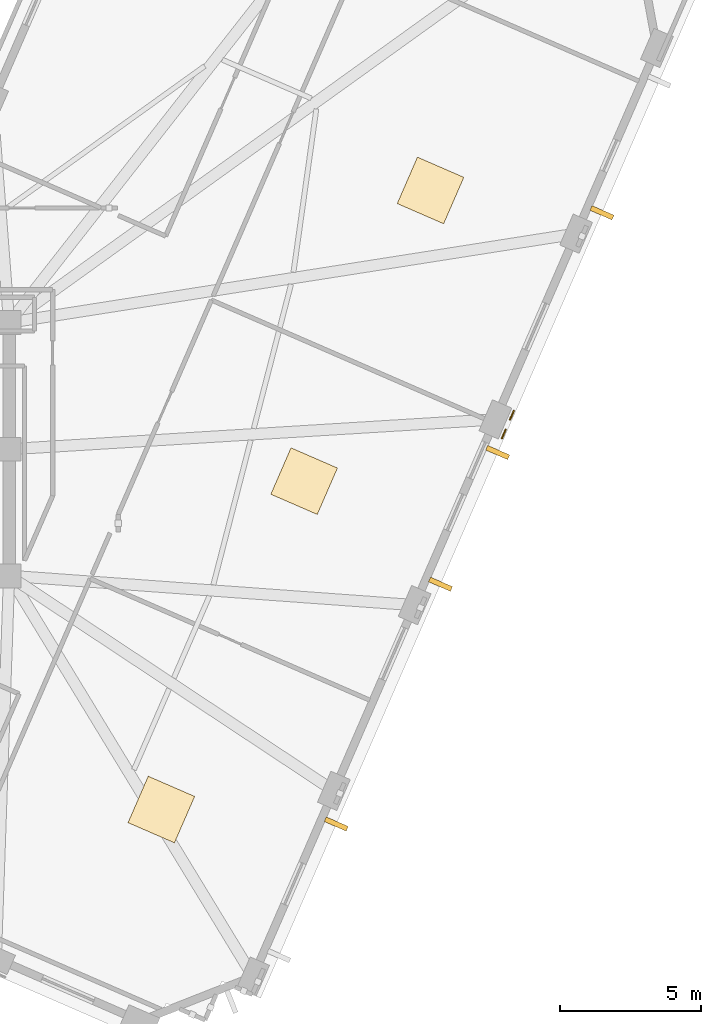
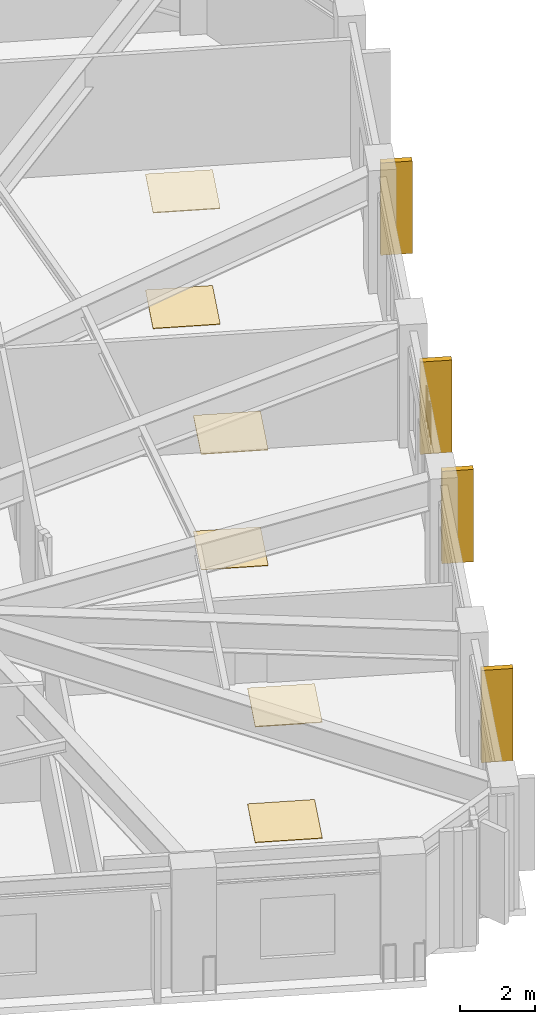
# One storey, part 11 of 12: 6 coverings, 4 shading devices, 2 railings.
"""IFC4 building model written with IfcOpenShell, lengths in metres."""

from ifc_helpers import new_model, si_unit, direction, frame, origin, origin_2d, place, context, subcontext, project, spatial, rectangle, circle, extrude, material, layer, layer_set, type_object, element, save


model = new_model("IFC4")

# Units and contexts
model_context = context("Model", 3, precision=1e-05, world=origin(), true_north=direction((0.0, 1.0)))
body_context = subcontext(model_context, "Body", "Model", "MODEL_VIEW")
ifc_project = project(units=[si_unit("LENGTHUNIT", "METRE"), si_unit("AREAUNIT", "SQUARE_METRE"), si_unit("VOLUMEUNIT", "CUBIC_METRE"), si_unit("PLANEANGLEUNIT", "RADIAN"), si_unit("MASSUNIT", "GRAM", prefix="KILO")], contexts=[model_context])

# Site, building, storey
site_placement = place(None, origin())
site = spatial("IfcSite", under=ifc_project, at=site_placement, CompositionType="ELEMENT")
building_placement = place(site_placement, origin())
building = spatial("IfcBuilding", under=site, at=building_placement, Name="Gaonmaruhae Medical Tower", CompositionType="ELEMENT")
storey_placement = place(building_placement, frame((0.0, 0.0, 308.60009765625)))
storey = spatial("IfcBuildingStorey", under=building, at=storey_placement, Name="L74", CompositionType="ELEMENT", Elevation=308.60009765625)

# Coverings
ifc_material_1 = material(Name="Acoustic mineral ceiling tile", Category="finish")
ifc_layer_1 = layer(ifc_material_1, 0.02490234375)
ifc_layer_set_1 = layer_set([ifc_layer_1], Name="Acoustic mineral ceiling tile")
covering_type_1 = type_object("IfcCoveringType", Name="CLG-01 Antimicrobial Acoustic Mineral Ceiling", PredefinedType="CEILING", material=ifc_layer_set_1)
for number, where, z_axis, x_axis, name in (
    (1, (41.012451171875, -0.510009765625, 3.7548828125), (0.0, 0.0, 1.0), (0.398749068925, 0.917060074385, 0.0), "L74 Clinical Room Acoustic Ceiling 2"),
    (2, (46.0888671875, 11.1650390625, 3.7548828125), (0.0, 0.0, 1.0), (0.398749068925, 0.917060074385, 0.0), "L74 Clinical Room Acoustic Ceiling 3"),
    (3, (50.58251953125, 21.49951171875, 3.7548828125), (0.0, 0.0, 1.0), (0.398749068925, 0.917060074385, 0.0), "L74 Clinical Room Acoustic Ceiling 4"),
):
    element("IfcCovering", number, at=place(storey_placement, frame(where, z_axis=z_axis, x_axis=x_axis)), inside=storey, type_object=covering_type_1, Name=name, PredefinedType="CEILING", context=body_context, shape_type="SweptSolid", body=[
        extrude(rectangle(XDim=1.800048828125, YDim=1.800048828125, at=origin_2d()), origin(), (0.0, 0.0, 1.0), 0.02490234375),
    ])
ifc_material_2 = material(Name="Seamless clinical vinyl flooring", Category="finish")
ifc_layer_2 = layer(ifc_material_2, 0.014892578125)
ifc_layer_set_2 = layer_set([ifc_layer_2], Name="Seamless clinical vinyl flooring")
covering_type_2 = type_object("IfcCoveringType", Name="FLR-01 Seamless Clinical Antistatic Vinyl Flooring", PredefinedType="FLOORING", material=ifc_layer_set_2)
for number, where, z_axis, x_axis, name in (
    (4, (41.012451171875, -0.510009765625, 0.0), (0.0, 0.0, 1.0), (0.398749068925, 0.917060074385, 0.0), "L74 Clinical Room Vinyl Flooring 2"),
    (5, (46.0888671875, 11.1650390625, 0.0), (0.0, 0.0, 1.0), (0.398749068925, 0.917060074385, 0.0), "L74 Clinical Room Vinyl Flooring 3"),
    (6, (50.58251953125, 21.49951171875, 0.0), (0.0, 0.0, 1.0), (0.398749068925, 0.917060074385, 0.0), "L74 Clinical Room Vinyl Flooring 4"),
):
    element("IfcCovering", number, at=place(storey_placement, frame(where, z_axis=z_axis, x_axis=x_axis)), inside=storey, type_object=covering_type_2, Name=name, PredefinedType="FLOORING", context=body_context, shape_type="SweptSolid", body=[
        extrude(rectangle(XDim=1.800048828125, YDim=1.800048828125, at=origin_2d()), origin(), (0.0, 0.0, 1.0), 0.014892578125),
    ])

# Railings
ifc_material_3 = material(Name="Stainless steel 316L and laminated safety glass", Category="steel")
ifc_layer_3 = layer(ifc_material_3, 0.080078125)
ifc_layer_set_3 = layer_set([ifc_layer_3], Name="Stainless steel 316L and laminated safety glass")
railing_type = type_object("IfcRailingType", Name="GD-120 Outdoor Terrace Safety Glass & Steel Balustrade", PredefinedType="BALUSTRADE", material=ifc_layer_set_3)
railing_1_placement = place(storey_placement, frame((53.542236328125, 13.660888671875, 0.0)))
element("IfcRailing", 7, at=railing_1_placement, inside=storey, type_object=railing_type, Name="L74 Perimeter Slab Edge Safety Balustrade 07", PredefinedType="BALUSTRADE", context=body_context, shape_type="SweptSolid", body=[
    extrude(circle(Radius=0.02392578125, at=origin_2d()), frame((0.0, 0.0, 1.17578125), z_axis=(-0.398857500245, -0.917012919483, 0.0), x_axis=(0.917012919483, -0.398857500245, 0.0)), (0.0, 0.0, 1.0), 0.339599609375),
    extrude(circle(Radius=0.02099609375, at=origin_2d()), origin(), (0.0, 0.0, 1.0), 1.15185546875),
    extrude(circle(Radius=0.02099609375, at=origin_2d()), frame((-0.135498046875, -0.3115234375, 0.0)), (0.0, 0.0, 1.0), 1.15185546875),
])
railing_2_placement = place(storey_placement, frame((53.255615234375, 13.00146484375, 0.0)))
element("IfcRailing", 8, at=railing_2_placement, inside=storey, type_object=railing_type, Name="L74 Perimeter Slab Edge Safety Balustrade 08", PredefinedType="BALUSTRADE", context=body_context, shape_type="SweptSolid", body=[
    extrude(circle(Radius=0.02392578125, at=origin_2d()), frame((0.0, 0.0, 1.17578125), z_axis=(-0.398594800943, -0.917127136585, 0.0), x_axis=(0.917127136585, -0.398594800943, 0.0)), (0.0, 0.0, 1.0), 0.33984375),
    extrude(circle(Radius=0.02099609375, at=origin_2d()), origin(), (0.0, 0.0, 1.0), 1.15185546875),
    extrude(circle(Radius=0.02099609375, at=origin_2d()), frame((-0.135498046875, -0.311767578125, 0.0)), (0.0, 0.0, 1.0), 1.15185546875),
])

# Shading devices
ifc_material_4 = material(Name="Pigmented coral precast concrete C45/55", Category="concrete")
shading_device_type = type_object("IfcShadingDeviceType", Name="SD-FIN1 Tower Vertical Coral Precast Shading Fin", PredefinedType="USERDEFINED", material=ifc_material_4)
for number, where, z_axis, x_axis, name in (
    (9, (47.228271484375, -1.023681640625, 0.13232421875), (0.0, 0.0, 1.0), (-0.398749068925, -0.917060074385, 0.0), "L74 Vertical Coral Precast Shading Fin S01"),
    (10, (52.97021484375, 12.18212890625, 0.13232421875), (0.0, 0.0, 1.0), (-0.398749068925, -0.917060074385, 0.0), "L74 Vertical Coral Precast Shading Fin S03"),
    (11, (50.9345703125, 7.50048828125, 0.13232421875), (0.0, 0.0, 1.0), (-0.398749068925, -0.917060074385, 0.0), "L74 Vertical Coral Precast Shading Fin S03B"),
    (12, (56.676513671875, 20.706298828125, 0.13232421875), (0.0, 0.0, 1.0), (-0.398749068925, -0.917060074385, 0.0), "L74 Vertical Coral Precast Shading Fin S05B"),
):
    element("IfcShadingDevice", number, at=place(storey_placement, frame(where, z_axis=z_axis, x_axis=x_axis)), inside=storey, type_object=shading_device_type, Name=name, ObjectType="FIN", PredefinedType="USERDEFINED", context=body_context, shape_type="SweptSolid", body=[
        extrude(rectangle(XDim=0.179931640625, YDim=0.85009765625, at=origin_2d()), origin(), (0.0, 0.0, 1.0), 3.0),
    ])

save(model, "model.ifc")
